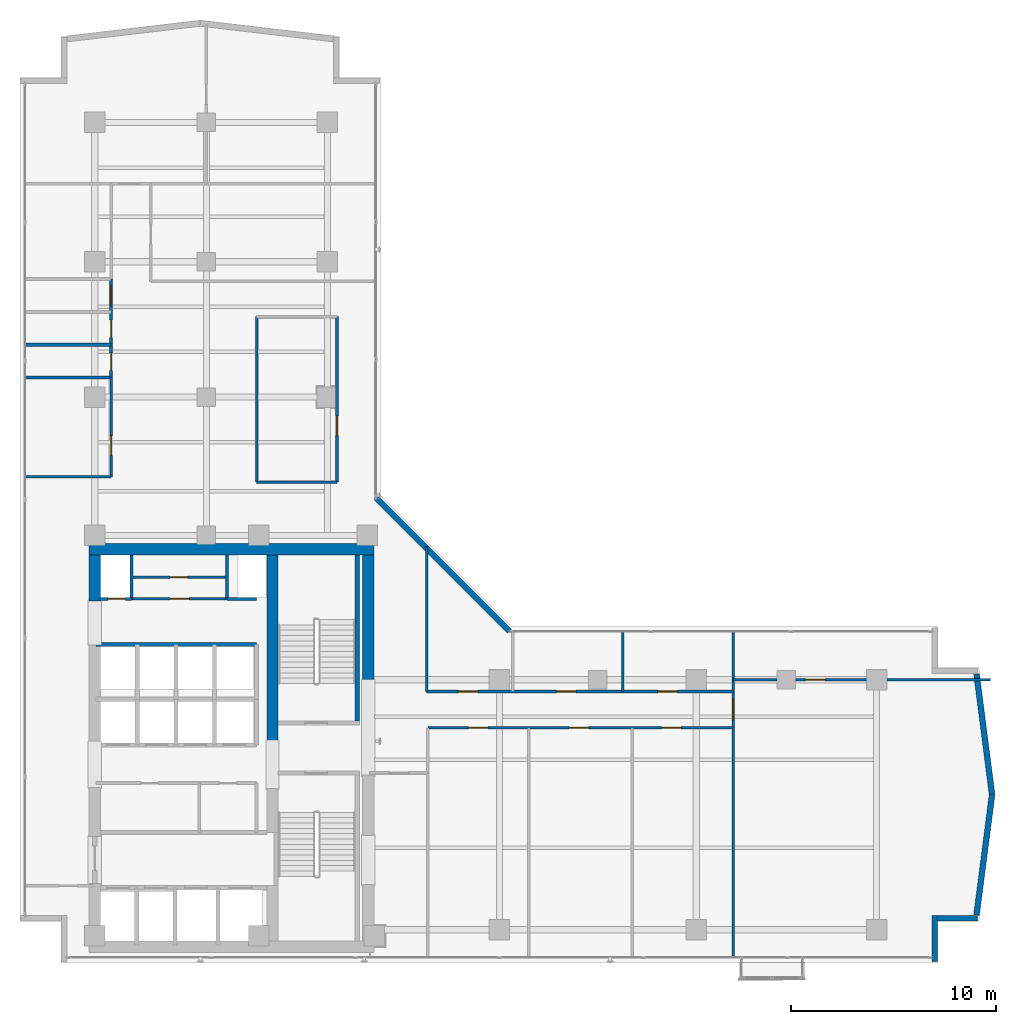
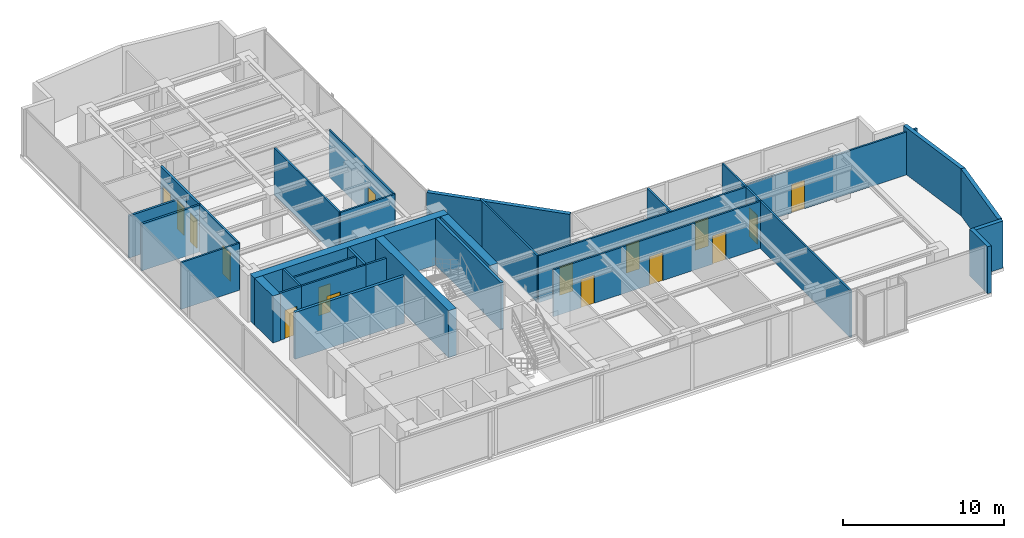
# One storey, part 17 of 23: 31 walls, 16 doors, 16 openings.
"""IFC4 building model written with IfcOpenShell, lengths in metres."""

from ifc_helpers import new_model, si_unit, direction, frame, frame_2d, origin, place, context, subcontext, project, spatial, rectangle, extrude, material, layer, layer_set, type_object, element, fill, save


model = new_model("IFC4")

# Units and contexts
model_context = context("Model", 3, precision=1e-05, world=origin(), true_north=direction((0.0, 1.0)))
body_context = subcontext(model_context, "Body", "Model", "MODEL_VIEW")
ifc_project = project(units=[si_unit("LENGTHUNIT", "METRE"), si_unit("AREAUNIT", "SQUARE_METRE"), si_unit("VOLUMEUNIT", "CUBIC_METRE"), si_unit("PLANEANGLEUNIT", "RADIAN"), si_unit("MASSUNIT", "GRAM", prefix="KILO")], contexts=[model_context])

# Site, building, storey
site_placement = place(None, origin())
site = spatial("IfcSite", under=ifc_project, at=site_placement, CompositionType="ELEMENT")
building_placement = place(site_placement, origin())
building = spatial("IfcBuilding", under=site, at=building_placement, Name="Kolvaren Waterfront Exchange", CompositionType="ELEMENT")
storey_placement = place(building_placement, frame((0.0, 0.0, 212.10009765625)))
storey = spatial("IfcBuildingStorey", under=building, at=storey_placement, Name="L54", CompositionType="ELEMENT", Elevation=212.10009765625)

# Walls
ifc_material_1 = material(Name="Precast concrete C40/50", Category="concrete")
ifc_layer_1 = layer(ifc_material_1, 0.280029296875, Name="Precast concrete C40/50")
ifc_layer_set_1 = layer_set([ifc_layer_1], Name="Precast concrete C40/50")
wall_type_1 = type_object("IfcWallType", Name="ARC-EXT-TERR-280", PredefinedType="SOLIDWALL", material=ifc_layer_set_1)
wall_1_placement = place(storey_placement, frame((48.43994140625, 3.659912109375, 0.0), z_axis=(0.0, 0.0, 1.0), x_axis=(0.0, 1.0, 0.0)))
element("IfcWall", 1, at=wall_1_placement, inside=storey, type_object=wall_type_1, Name="L54 notched corner spandrel pier SE-A", PredefinedType="SOLIDWALL", context=body_context, shape_type="SweptSolid", body=[
    extrude(rectangle(XDim=2.239990234375, YDim=0.280029296875, at=frame_2d((1.1201171875, 0.0))), origin(), (0.0, 0.0, 1.0), 3.559814453125),
])
wall_2_placement = place(storey_placement, frame((48.580078125, 5.760009765625, 0.0), z_axis=(0.0, 0.0, 1.0), x_axis=(1.0, 0.0, 0.0)))
element("IfcWall", 2, at=wall_2_placement, inside=storey, type_object=wall_type_1, Name="L54 notched corner spandrel pier SE-B", PredefinedType="SOLIDWALL", context=body_context, shape_type="SweptSolid", body=[
    extrude(rectangle(XDim=1.9599609375, YDim=0.280029296875, at=frame_2d((0.97998046875, 0.0))), origin(), (0.0, 0.0, 1.0), 3.559814453125),
])
wall_3_placement = place(storey_placement, frame((27.68505859375, 19.77490234375, 0.0), z_axis=(0.0, 0.0, 1.0), x_axis=(-0.707106781187, 0.707106781187, 0.0)))
element("IfcWall", 3, at=wall_3_placement, inside=storey, type_object=wall_type_1, Name="L54 notched corner spandrel pier ELBOW", PredefinedType="SOLIDWALL", context=body_context, shape_type="SweptSolid", body=[
    extrude(rectangle(XDim=9.20654296875, YDim=0.280029296875, at=frame_2d((4.603271484375, 0.0))), origin(), (0.0, 0.0, 1.0), 3.559814453125),
])
for number, where, z_axis, x_axis, name in (
    (4, (50.479736328125, 5.91796875, 0.0), (0.0, 0.0, 1.0), (0.127970031595, 0.991778035154, 0.0), "L54 east prow faceted facade wall 1"),
    (5, (51.23876953125, 11.79931640625, 0.0), (0.0, 0.0, 1.0), (-0.127970031595, 0.991778035154, 0.0), "L54 east prow faceted facade wall 2"),
):
    element("IfcWall", number, at=place(storey_placement, frame(where, z_axis=z_axis, x_axis=x_axis)), inside=storey, type_object=wall_type_1, Name=name, PredefinedType="SOLIDWALL", context=body_context, shape_type="SweptSolid", body=[
        extrude(rectangle(XDim=5.931396484375, YDim=0.280029296875, at=frame_2d((2.9658203125, 0.0))), origin(), (0.0, 0.0, 1.0), 3.559814453125),
    ])

# Wall, opening, door
ifc_material_2 = material(Name="Acoustic gypsum steel stud", Category="steel")
ifc_layer_2 = layer(ifc_material_2, 0.125, Name="Acoustic gypsum steel stud")
ifc_layer_set_2 = layer_set([ifc_layer_2], Name="Acoustic gypsum steel stud")
wall_type_2 = type_object("IfcWallType", Name="ARC-PART-125", PredefinedType="PARTITIONING", material=ifc_layer_set_2)
wall_4_placement = place(storey_placement, frame((9.25, 21.35009765625, 0.0), z_axis=(0.0, 0.0, 1.0), x_axis=(1.0, 0.0, 0.0)))
wall_4 = element("IfcWall", 6, at=wall_4_placement, inside=storey, type_object=wall_type_2, Name="L54 interior wall PW-L54-SVC-EX-S", PredefinedType="PARTITIONING", context=body_context, shape_type="SweptSolid", body=[
    extrude(rectangle(XDim=4.64990234375, YDim=0.125, at=frame_2d((2.324951171875, 0.0))), origin(), (0.0, 0.0, 1.0), 3.559814453125),
])
opening_1_placement = place(wall_4_placement, frame((1.85009765625, 0.0, 0.0)))
opening_1 = element("IfcOpeningElement", 7, at=opening_1_placement, cuts=wall_4, Name="Opening D02", PredefinedType="OPENING", context=body_context, shape_type="SweptSolid", body=[
    extrude(rectangle(XDim=0.949951171875, YDim=2.14990234375, at=frame_2d((0.47509765625, 1.074951171875))), frame((0.0, 0.072509765625, 0.0), z_axis=(0.0, -1.0, 0.0), x_axis=(1.0, 0.0, 0.0)), (0.0, 0.0, 1.0), 0.14501953125),
])
ifc_material_3 = material(Name="Oak veneer acoustic timber", Category="wood")
door_type_1 = type_object("IfcDoorType", Name="ARC-DR-950", OperationType="NOTDEFINED", PredefinedType="DOOR", material=ifc_material_3)
door_1_placement = place(opening_1_placement, origin())
door_1 = element("IfcDoor", 8, at=door_1_placement, inside=storey, type_object=door_type_1, Name="L54 door DR-L54-SVC-DR-1 (D02)", OperationType="SINGLE_SWING_RIGHT", OverallHeight=2.14990234375, OverallWidth=0.949951171875, PredefinedType="DOOR", context=body_context, shape_type="SweptSolid", body=[
    extrude(rectangle(XDim=0.949951171875, YDim=2.14990234375, at=frame_2d((0.47509765625, 1.074951171875))), frame((0.0, 0.02490234375, 0.0), z_axis=(0.0, -1.0, 0.0), x_axis=(1.0, 0.0, 0.0)), (0.0, 0.0, 1.0), 0.050048828125),
])
fill(opening_1, door_1)

wall_5_placement = place(storey_placement, frame((9.25, 22.39990234375, 0.0), z_axis=(0.0, 0.0, 1.0), x_axis=(1.0, 0.0, 0.0)))
wall_5 = element("IfcWall", 9, at=wall_5_placement, inside=storey, type_object=wall_type_2, Name="L54 interior wall PW-L54-SVC-EX-HS", PredefinedType="PARTITIONING", context=body_context, shape_type="SweptSolid", body=[
    extrude(rectangle(XDim=4.64990234375, YDim=0.125, at=frame_2d((2.324951171875, 0.0))), origin(), (0.0, 0.0, 1.0), 3.559814453125),
])
opening_2_placement = place(wall_5_placement, frame((1.875, 0.0, 0.0)))
opening_2 = element("IfcOpeningElement", 10, at=opening_2_placement, cuts=wall_5, Name="Opening D01", PredefinedType="OPENING", context=body_context, shape_type="SweptSolid", body=[
    extrude(rectangle(XDim=0.85009765625, YDim=2.14990234375, at=frame_2d((0.425048828125, 1.074951171875))), frame((0.0, 0.072509765625, 0.0), z_axis=(0.0, -1.0, 0.0), x_axis=(1.0, 0.0, 0.0)), (0.0, 0.0, 1.0), 0.14501953125),
])
ifc_material_4 = material(Name="Oak veneer timber leaf", Category="wood")
door_type_2 = type_object("IfcDoorType", Name="ARC-DR-900", OperationType="NOTDEFINED", PredefinedType="DOOR", material=ifc_material_4)
door_2_placement = place(opening_2_placement, origin())
door_2 = element("IfcDoor", 11, at=door_2_placement, inside=storey, type_object=door_type_2, Name="L54 door DR-L54-SVC-DR-2 (D01)", OperationType="SINGLE_SWING_LEFT", OverallHeight=2.14990234375, OverallWidth=0.85009765625, PredefinedType="DOOR", context=body_context, shape_type="SweptSolid", body=[
    extrude(rectangle(XDim=0.85009765625, YDim=2.14990234375, at=frame_2d((0.425048828125, 1.074951171875))), frame((0.0, 0.02490234375, 0.0), z_axis=(0.0, -1.0, 0.0), x_axis=(1.0, 0.0, 0.0)), (0.0, 0.0, 1.0), 0.050048828125),
])
fill(opening_2, door_2)

# Walls
wall_6_placement = place(storey_placement, frame((15.35009765625, 27.050048828125, 0.0), z_axis=(0.0, 0.0, 1.0), x_axis=(1.0, 0.0, 0.0)))
element("IfcWall", 12, at=wall_6_placement, inside=storey, type_object=wall_type_2, Name="L54 interior wall PW-L54-ISL-S", PredefinedType="PARTITIONING", context=body_context, shape_type="SweptSolid", body=[
    extrude(rectangle(XDim=3.919921875, YDim=0.125, at=frame_2d((1.9599609375, 0.0))), origin(), (0.0, 0.0, 1.0), 3.559814453125),
])
wall_7_placement = place(storey_placement, frame((15.35009765625, 27.050048828125, 0.0), z_axis=(0.0, 0.0, 1.0), x_axis=(0.0, 1.0, 0.0)))
element("IfcWall", 13, at=wall_7_placement, inside=storey, type_object=wall_type_2, Name="L54 interior wall PW-L54-ISL-W", PredefinedType="PARTITIONING", context=body_context, shape_type="SweptSolid", body=[
    extrude(rectangle(XDim=8.070068359375, YDim=0.125, at=frame_2d((4.03515625, 0.0))), origin(), (0.0, 0.0, 1.0), 3.559814453125),
])

# Wall, opening, door
wall_8_placement = place(storey_placement, frame((19.27001953125, 27.050048828125, 0.0), z_axis=(0.0, 0.0, 1.0), x_axis=(0.0, 1.0, 0.0)))
wall_8 = element("IfcWall", 14, at=wall_8_placement, inside=storey, type_object=wall_type_2, Name="L54 interior wall PW-L54-ISL-E", PredefinedType="PARTITIONING", context=body_context, shape_type="SweptSolid", body=[
    extrude(rectangle(XDim=8.070068359375, YDim=0.125, at=frame_2d((4.03515625, 0.0))), origin(), (0.0, 0.0, 1.0), 3.559814453125),
])
opening_3_placement = place(wall_8_placement, frame((2.27001953125, 0.0, 0.0)))
opening_3 = element("IfcOpeningElement", 15, at=opening_3_placement, cuts=wall_8, Name="Opening D02", PredefinedType="OPENING", context=body_context, shape_type="SweptSolid", body=[
    extrude(rectangle(XDim=0.949951171875, YDim=2.14990234375, at=frame_2d((0.47509765625, 1.074951171875))), frame((0.0, 0.072509765625, 0.0), z_axis=(0.0, -1.0, 0.0), x_axis=(1.0, 0.0, 0.0)), (0.0, 0.0, 1.0), 0.14501953125),
])
door_3_placement = place(opening_3_placement, origin())
door_3 = element("IfcDoor", 16, at=door_3_placement, inside=storey, type_object=door_type_1, Name="L54 door DR-L54-ISL-D (D02)", OperationType="SINGLE_SWING_RIGHT", OverallHeight=2.14990234375, OverallWidth=0.949951171875, PredefinedType="DOOR", context=body_context, shape_type="SweptSolid", body=[
    extrude(rectangle(XDim=0.949951171875, YDim=2.14990234375, at=frame_2d((0.47509765625, 1.074951171875))), frame((0.0, 0.02490234375, 0.0), z_axis=(0.0, -1.0, 0.0), x_axis=(1.0, 0.0, 0.0)), (0.0, 0.0, 1.0), 0.050048828125),
])
fill(opening_3, door_3)

wall_9_placement = place(storey_placement, frame((8.25, 27.300048828125, 0.0), z_axis=(0.0, 0.0, 1.0), x_axis=(0.0, 1.0, 0.0)))
wall_9 = element("IfcWall", 17, at=wall_9_placement, inside=storey, type_object=wall_type_2, Name="L54 interior wall PW-L54-PREWC-E", PredefinedType="PARTITIONING", context=body_context, shape_type="SweptSolid", body=[
    extrude(rectangle(XDim=4.849853515625, YDim=0.125, at=frame_2d((2.4248046875, 0.0))), origin(), (0.0, 0.0, 1.0), 3.559814453125),
])
opening_4_placement = place(wall_9_placement, frame((1.050048828125, 0.0, 0.0)))
opening_4 = element("IfcOpeningElement", 18, at=opening_4_placement, cuts=wall_9, Name="Opening D02", PredefinedType="OPENING", context=body_context, shape_type="SweptSolid", body=[
    extrude(rectangle(XDim=0.949951171875, YDim=2.14990234375, at=frame_2d((0.47509765625, 1.074951171875))), frame((0.0, 0.072509765625, 0.0), z_axis=(0.0, -1.0, 0.0), x_axis=(1.0, 0.0, 0.0)), (0.0, 0.0, 1.0), 0.14501953125),
])
door_4_placement = place(opening_4_placement, origin())
door_4 = element("IfcDoor", 19, at=door_4_placement, inside=storey, type_object=door_type_1, Name="L54 door DR-L54-PREWC-D (D02)", OperationType="SINGLE_SWING_LEFT", OverallHeight=2.14990234375, OverallWidth=0.949951171875, PredefinedType="DOOR", context=body_context, shape_type="SweptSolid", body=[
    extrude(rectangle(XDim=0.949951171875, YDim=2.14990234375, at=frame_2d((0.47509765625, 1.074951171875))), frame((0.0, 0.02490234375, 0.0), z_axis=(0.0, -1.0, 0.0), x_axis=(1.0, 0.0, 0.0)), (0.0, 0.0, 1.0), 0.050048828125),
])
fill(opening_4, door_4)

# Wall
wall_10_placement = place(storey_placement, frame((4.0400390625, 27.300048828125, 0.0), z_axis=(0.0, 0.0, 1.0), x_axis=(1.0, 0.0, 0.0)))
element("IfcWall", 20, at=wall_10_placement, inside=storey, type_object=wall_type_2, Name="L54 interior wall PW-L54-PREWC-S", PredefinedType="PARTITIONING", context=body_context, shape_type="SweptSolid", body=[
    extrude(rectangle(XDim=4.2099609375, YDim=0.125, at=frame_2d((2.10498046875, 0.0))), origin(), (0.0, 0.0, 1.0), 3.559814453125),
])

# Wall, openings, doors
wall_11_placement = place(storey_placement, frame((23.699951171875, 15.050048828125, 0.0), z_axis=(0.0, 0.0, 1.0), x_axis=(1.0, 0.0, 0.0)))
wall_11 = element("IfcWall", 21, at=wall_11_placement, inside=storey, type_object=wall_type_2, Name="L54 interior wall PW-L54-ES-CORR", PredefinedType="PARTITIONING", context=body_context, shape_type="SweptSolid", body=[
    extrude(rectangle(XDim=14.900146484375, YDim=0.125, at=frame_2d((7.4501953125, 0.0))), origin(), (0.0, 0.0, 1.0), 3.559814453125),
])
opening_5_placement = place(wall_11_placement, frame((1.985107421875, 0.0, 0.0)))
opening_5 = element("IfcOpeningElement", 22, at=opening_5_placement, cuts=wall_11, Name="Opening D02", PredefinedType="OPENING", context=body_context, shape_type="SweptSolid", body=[
    extrude(rectangle(XDim=0.949951171875, YDim=2.14990234375, at=frame_2d((0.47509765625, 1.074951171875))), frame((0.0, 0.072509765625, 0.0), z_axis=(0.0, -1.0, 0.0), x_axis=(1.0, 0.0, 0.0)), (0.0, 0.0, 1.0), 0.14501953125),
])
opening_6_placement = place(wall_11_placement, frame((6.903076171875, 0.0, 0.0)))
opening_6 = element("IfcOpeningElement", 23, at=opening_6_placement, cuts=wall_11, Name="Opening D02", PredefinedType="OPENING", context=body_context, shape_type="SweptSolid", body=[
    extrude(rectangle(XDim=0.949951171875, YDim=2.14990234375, at=frame_2d((0.47509765625, 1.074951171875))), frame((0.0, 0.072509765625, 0.0), z_axis=(0.0, -1.0, 0.0), x_axis=(1.0, 0.0, 0.0)), (0.0, 0.0, 1.0), 0.14501953125),
])
opening_7_placement = place(wall_11_placement, frame((11.416015625, 0.0, 0.0)))
opening_7 = element("IfcOpeningElement", 24, at=opening_7_placement, cuts=wall_11, Name="Opening D02", PredefinedType="OPENING", context=body_context, shape_type="SweptSolid", body=[
    extrude(rectangle(XDim=0.949951171875, YDim=2.14990234375, at=frame_2d((0.47509765625, 1.074951171875))), frame((0.0, 0.072509765625, 0.0), z_axis=(0.0, -1.0, 0.0), x_axis=(1.0, 0.0, 0.0)), (0.0, 0.0, 1.0), 0.14501953125),
])
door_5_placement = place(opening_5_placement, origin())
door_5 = element("IfcDoor", 25, at=door_5_placement, inside=storey, type_object=door_type_1, Name="L54 door DR-L54-ES-D-1 (D02)", OperationType="SINGLE_SWING_LEFT", OverallHeight=2.14990234375, OverallWidth=0.949951171875, PredefinedType="DOOR", context=body_context, shape_type="SweptSolid", body=[
    extrude(rectangle(XDim=0.949951171875, YDim=2.14990234375, at=frame_2d((0.47509765625, 1.074951171875))), frame((0.0, 0.02490234375, 0.0), z_axis=(0.0, -1.0, 0.0), x_axis=(1.0, 0.0, 0.0)), (0.0, 0.0, 1.0), 0.050048828125),
])
fill(opening_5, door_5)
door_6_placement = place(opening_6_placement, origin())
door_6 = element("IfcDoor", 26, at=door_6_placement, inside=storey, type_object=door_type_1, Name="L54 door DR-L54-ES-D-2 (D02)", OperationType="SINGLE_SWING_RIGHT", OverallHeight=2.14990234375, OverallWidth=0.949951171875, PredefinedType="DOOR", context=body_context, shape_type="SweptSolid", body=[
    extrude(rectangle(XDim=0.949951171875, YDim=2.14990234375, at=frame_2d((0.47509765625, 1.074951171875))), frame((0.0, 0.02490234375, 0.0), z_axis=(0.0, -1.0, 0.0), x_axis=(1.0, 0.0, 0.0)), (0.0, 0.0, 1.0), 0.050048828125),
])
fill(opening_6, door_6)
door_7_placement = place(opening_7_placement, origin())
door_7 = element("IfcDoor", 27, at=door_7_placement, inside=storey, type_object=door_type_1, Name="L54 door DR-L54-ES-D-3 (D02)", OperationType="SINGLE_SWING_LEFT", OverallHeight=2.14990234375, OverallWidth=0.949951171875, PredefinedType="DOOR", context=body_context, shape_type="SweptSolid", body=[
    extrude(rectangle(XDim=0.949951171875, YDim=2.14990234375, at=frame_2d((0.47509765625, 1.074951171875))), frame((0.0, 0.02490234375, 0.0), z_axis=(0.0, -1.0, 0.0), x_axis=(1.0, 0.0, 0.0)), (0.0, 0.0, 1.0), 0.050048828125),
])
fill(opening_7, door_7)

# Wall, opening, door
wall_12_placement = place(storey_placement, frame((38.60009765625, 3.840087890625, 0.0), z_axis=(0.0, 0.0, 1.0), x_axis=(0.0, 1.0, 0.0)))
wall_12 = element("IfcWall", 28, at=wall_12_placement, inside=storey, type_object=wall_type_2, Name="L54 interior wall PW-L54-ETIP-W", PredefinedType="PARTITIONING", context=body_context, shape_type="SweptSolid", body=[
    extrude(rectangle(XDim=15.919921875, YDim=0.125, at=frame_2d((7.9599609375, 0.0))), origin(), (0.0, 0.0, 1.0), 3.559814453125),
])
opening_8_placement = place(wall_12_placement, frame((11.60009765625, 0.0, 0.0)))
opening_8 = element("IfcOpeningElement", 29, at=opening_8_placement, cuts=wall_12, Name="Opening D03", PredefinedType="OPENING", context=body_context, shape_type="SweptSolid", body=[
    extrude(rectangle(XDim=1.0, YDim=2.199951171875, at=frame_2d((0.5, 1.10009765625))), frame((0.0, 0.072509765625, 0.0), z_axis=(0.0, -1.0, 0.0), x_axis=(1.0, 0.0, 0.0)), (0.0, 0.0, 1.0), 0.14501953125),
])
ifc_material_5 = material(Name="Oak veneer accessible timber", Category="wood")
door_type_3 = type_object("IfcDoorType", Name="ARC-DR-1000", OperationType="NOTDEFINED", PredefinedType="DOOR", material=ifc_material_5)
door_8_placement = place(opening_8_placement, origin())
door_8 = element("IfcDoor", 30, at=door_8_placement, inside=storey, type_object=door_type_3, Name="L54 door DR-L54-ETIP1-D (D03)", OperationType="SINGLE_SWING_RIGHT", OverallHeight=2.199951171875, OverallWidth=1.0, PredefinedType="DOOR", context=body_context, shape_type="SweptSolid", body=[
    extrude(rectangle(XDim=1.0, YDim=2.199951171875, at=frame_2d((0.5, 1.10009765625))), frame((0.0, 0.02490234375, 0.0), z_axis=(0.0, -1.0, 0.0), x_axis=(1.0, 0.0, 0.0)), (0.0, 0.0, 1.0), 0.050048828125),
])
fill(opening_8, door_8)

wall_13_placement = place(storey_placement, frame((38.60009765625, 17.39990234375, 0.0), z_axis=(0.0, 0.0, 1.0), x_axis=(1.0, 0.0, 0.0)))
wall_13 = element("IfcWall", 31, at=wall_13_placement, inside=storey, type_object=wall_type_2, Name="L54 interior wall PW-L54-ETIP-MID", PredefinedType="PARTITIONING", context=body_context, shape_type="SweptSolid", body=[
    extrude(rectangle(XDim=12.559814453125, YDim=0.125, at=frame_2d((6.27978515625, 0.0))), origin(), (0.0, 0.0, 1.0), 3.260009765625),
])
opening_9_placement = place(wall_13_placement, frame((3.52490234375, 0.0, 0.0)))
opening_9 = element("IfcOpeningElement", 32, at=opening_9_placement, cuts=wall_13, Name="Opening D02", PredefinedType="OPENING", context=body_context, shape_type="SweptSolid", body=[
    extrude(rectangle(XDim=0.949951171875, YDim=2.14990234375, at=frame_2d((0.47509765625, 1.074951171875))), frame((0.0, 0.072509765625, 0.0), z_axis=(0.0, -1.0, 0.0), x_axis=(1.0, 0.0, 0.0)), (0.0, 0.0, 1.0), 0.14501953125),
])
door_9_placement = place(opening_9_placement, origin())
door_9 = element("IfcDoor", 33, at=door_9_placement, inside=storey, type_object=door_type_1, Name="L54 door DR-L54-ETIP2-D (D02)", OperationType="SINGLE_SWING_LEFT", OverallHeight=2.14990234375, OverallWidth=0.949951171875, PredefinedType="DOOR", context=body_context, shape_type="SweptSolid", body=[
    extrude(rectangle(XDim=0.949951171875, YDim=2.14990234375, at=frame_2d((0.47509765625, 1.074951171875))), frame((0.0, 0.02490234375, 0.0), z_axis=(0.0, -1.0, 0.0), x_axis=(1.0, 0.0, 0.0)), (0.0, 0.0, 1.0), 0.050048828125),
])
fill(opening_9, door_9)

# Wall
wall_14_placement = place(storey_placement, frame((23.64990234375, 16.830078125, 0.0), z_axis=(0.0, 0.0, 1.0), x_axis=(0.0, 1.0, 0.0)))
element("IfcWall", 34, at=wall_14_placement, inside=storey, type_object=wall_type_2, Name="L54 interior wall PW-L54-EN-W0", PredefinedType="PARTITIONING", context=body_context, shape_type="SweptSolid", body=[
    extrude(rectangle(XDim=7.079833984375, YDim=0.125, at=frame_2d((3.5400390625, 0.0))), origin(), (0.0, 0.0, 1.0), 3.559814453125),
])

# Wall, openings, doors
wall_15_placement = place(storey_placement, frame((23.64990234375, 16.830078125, 0.0), z_axis=(0.0, 0.0, 1.0), x_axis=(1.0, 0.0, 0.0)))
wall_15 = element("IfcWall", 35, at=wall_15_placement, inside=storey, type_object=wall_type_2, Name="L54 interior wall PW-L54-EN-CORR", PredefinedType="PARTITIONING", context=body_context, shape_type="SweptSolid", body=[
    extrude(rectangle(XDim=14.9501953125, YDim=0.125, at=frame_2d((7.47509765625, 0.0))), origin(), (0.0, 0.0, 1.0), 3.559814453125),
])
opening_10_placement = place(wall_15_placement, frame((1.548095703125, 0.0, 0.0)))
opening_10 = element("IfcOpeningElement", 36, at=opening_10_placement, cuts=wall_15, Name="Opening D02", PredefinedType="OPENING", context=body_context, shape_type="SweptSolid", body=[
    extrude(rectangle(XDim=0.949951171875, YDim=2.14990234375, at=frame_2d((0.47509765625, 1.074951171875))), frame((0.0, 0.072509765625, 0.0), z_axis=(0.0, -1.0, 0.0), x_axis=(1.0, 0.0, 0.0)), (0.0, 0.0, 1.0), 0.14501953125),
])
opening_11_placement = place(wall_15_placement, frame((6.33251953125, 0.0, 0.0)))
opening_11 = element("IfcOpeningElement", 37, at=opening_11_placement, cuts=wall_15, Name="Opening D02", PredefinedType="OPENING", context=body_context, shape_type="SweptSolid", body=[
    extrude(rectangle(XDim=0.949951171875, YDim=2.14990234375, at=frame_2d((0.47509765625, 1.074951171875))), frame((0.0, 0.072509765625, 0.0), z_axis=(0.0, -1.0, 0.0), x_axis=(1.0, 0.0, 0.0)), (0.0, 0.0, 1.0), 0.14501953125),
])
opening_12_placement = place(wall_15_placement, frame((11.27685546875, 0.0, 0.0)))
opening_12 = element("IfcOpeningElement", 38, at=opening_12_placement, cuts=wall_15, Name="Opening D02", PredefinedType="OPENING", context=body_context, shape_type="SweptSolid", body=[
    extrude(rectangle(XDim=0.949951171875, YDim=2.14990234375, at=frame_2d((0.47509765625, 1.074951171875))), frame((0.0, 0.072509765625, 0.0), z_axis=(0.0, -1.0, 0.0), x_axis=(1.0, 0.0, 0.0)), (0.0, 0.0, 1.0), 0.14501953125),
])
door_10_placement = place(opening_10_placement, origin())
door_10 = element("IfcDoor", 39, at=door_10_placement, inside=storey, type_object=door_type_1, Name="L54 door DR-L54-EN-D-1 (D02)", OperationType="SINGLE_SWING_RIGHT", OverallHeight=2.14990234375, OverallWidth=0.949951171875, PredefinedType="DOOR", context=body_context, shape_type="SweptSolid", body=[
    extrude(rectangle(XDim=0.949951171875, YDim=2.14990234375, at=frame_2d((0.47509765625, 1.074951171875))), frame((0.0, 0.02490234375, 0.0), z_axis=(0.0, -1.0, 0.0), x_axis=(1.0, 0.0, 0.0)), (0.0, 0.0, 1.0), 0.050048828125),
])
fill(opening_10, door_10)
door_11_placement = place(opening_11_placement, origin())
door_11 = element("IfcDoor", 40, at=door_11_placement, inside=storey, type_object=door_type_1, Name="L54 door DR-L54-EN-D-2 (D02)", OperationType="SINGLE_SWING_LEFT", OverallHeight=2.14990234375, OverallWidth=0.949951171875, PredefinedType="DOOR", context=body_context, shape_type="SweptSolid", body=[
    extrude(rectangle(XDim=0.949951171875, YDim=2.14990234375, at=frame_2d((0.47509765625, 1.074951171875))), frame((0.0, 0.02490234375, 0.0), z_axis=(0.0, -1.0, 0.0), x_axis=(1.0, 0.0, 0.0)), (0.0, 0.0, 1.0), 0.050048828125),
])
fill(opening_11, door_11)
door_12_placement = place(opening_12_placement, origin())
door_12 = element("IfcDoor", 41, at=door_12_placement, inside=storey, type_object=door_type_1, Name="L54 door DR-L54-EN-D-3 (D02)", OperationType="SINGLE_SWING_RIGHT", OverallHeight=2.14990234375, OverallWidth=0.949951171875, PredefinedType="DOOR", context=body_context, shape_type="SweptSolid", body=[
    extrude(rectangle(XDim=0.949951171875, YDim=2.14990234375, at=frame_2d((0.47509765625, 1.074951171875))), frame((0.0, 0.02490234375, 0.0), z_axis=(0.0, -1.0, 0.0), x_axis=(1.0, 0.0, 0.0)), (0.0, 0.0, 1.0), 0.050048828125),
])
fill(opening_12, door_12)

# Walls
wall_16_placement = place(storey_placement, frame((33.219970703125, 16.830078125, 0.0), z_axis=(0.0, 0.0, 1.0), x_axis=(0.0, 1.0, 0.0)))
element("IfcWall", 42, at=wall_16_placement, inside=storey, type_object=wall_type_2, Name="L54 interior wall PW-L54-EN-DIV-2", PredefinedType="PARTITIONING", context=body_context, shape_type="SweptSolid", body=[
    extrude(rectangle(XDim=2.929931640625, YDim=0.125, at=frame_2d((1.46484375, 0.0))), origin(), (0.0, 0.0, 1.0), 3.559814453125),
])
ifc_material_6 = material(Name="Gypsum fireboard steel stud", Category="steel")
ifc_layer_3 = layer(ifc_material_6, 0.14990234375, Name="Gypsum fireboard steel stud")
ifc_layer_set_3 = layer_set([ifc_layer_3], Name="Gypsum fireboard steel stud")
wall_type_3 = type_object("IfcWallType", Name="ARC-PART-150", PredefinedType="PARTITIONING", material=ifc_layer_set_3)
for number, where, z_axis, x_axis, name in (
    (43, (9.25, 21.35009765625, 0.0), (0.0, 0.0, 1.0), (0.0, 1.0, 0.0), "L54 interior wall PW-L54-SVC-R1"),
    (44, (13.89990234375, 21.35009765625, 0.0), (0.0, 0.0, 1.0), (0.0, 1.0, 0.0), "L54 interior wall PW-L54-SVC-R2"),
):
    element("IfcWall", number, at=place(storey_placement, frame(where, z_axis=z_axis, x_axis=x_axis)), inside=storey, type_object=wall_type_3, Name=name, PredefinedType="PARTITIONING", context=body_context, shape_type="SweptSolid", body=[
        extrude(rectangle(XDim=2.1298828125, YDim=0.14990234375, at=frame_2d((1.06494140625, 0.0))), origin(), (0.0, 0.0, 1.0), 3.559814453125),
    ])

# Wall, opening, door
wall_17_placement = place(storey_placement, frame((7.699951171875, 21.35009765625, 0.0), z_axis=(0.0, 0.0, 1.0), x_axis=(1.0, 0.0, 0.0)))
wall_17 = element("IfcWall", 45, at=wall_17_placement, inside=storey, type_object=wall_type_3, Name="L54 interior wall PW-L54-SVC-RE-S", PredefinedType="PARTITIONING", context=body_context, shape_type="SweptSolid", body=[
    extrude(rectangle(XDim=1.550048828125, YDim=0.14990234375, at=frame_2d((0.77490234375, 0.0))), origin(), (0.0, 0.0, 1.0), 3.559814453125),
])
opening_13_placement = place(wall_17_placement, frame((0.389892578125, 0.0, 0.0)))
opening_13 = element("IfcOpeningElement", 46, at=opening_13_placement, cuts=wall_17, Name="Opening FD1", PredefinedType="OPENING", context=body_context, shape_type="SweptSolid", body=[
    extrude(rectangle(XDim=0.85009765625, YDim=2.14990234375, at=frame_2d((0.425048828125, 1.074951171875))), frame((0.0, 0.0849609375, 0.0), z_axis=(0.0, -1.0, 0.0), x_axis=(1.0, 0.0, 0.0)), (0.0, 0.0, 1.0), 0.169921875),
])
ifc_material_7 = material(Name="Pressed steel fire leaf", Category="steel")
door_type_4 = type_object("IfcDoorType", Name="ARC-FD-900", OperationType="NOTDEFINED", PredefinedType="DOOR", material=ifc_material_7)
door_13_placement = place(opening_13_placement, origin())
door_13 = element("IfcDoor", 47, at=door_13_placement, inside=storey, type_object=door_type_4, Name="L54 door DR-L54-RISER-E-DR (FD1)", OperationType="SINGLE_SWING_LEFT", OverallHeight=2.14990234375, OverallWidth=0.85009765625, PredefinedType="DOOR", context=body_context, shape_type="SweptSolid", body=[
    extrude(rectangle(XDim=0.85009765625, YDim=2.14990234375, at=frame_2d((0.425048828125, 1.074951171875))), frame((0.0, 0.02490234375, 0.0), z_axis=(0.0, -1.0, 0.0), x_axis=(1.0, 0.0, 0.0)), (0.0, 0.0, 1.0), 0.050048828125),
])
fill(opening_13, door_13)

# Walls
wall_18_placement = place(storey_placement, frame((13.89990234375, 21.35009765625, 0.0), z_axis=(0.0, 0.0, 1.0), x_axis=(1.0, 0.0, 0.0)))
element("IfcWall", 48, at=wall_18_placement, inside=storey, type_object=wall_type_3, Name="L54 interior wall PW-L54-SVC-RP-S", PredefinedType="PARTITIONING", context=body_context, shape_type="SweptSolid", body=[
    extrude(rectangle(XDim=1.4501953125, YDim=0.14990234375, at=frame_2d((0.72509765625, 0.0))), origin(), (0.0, 0.0, 1.0), 3.559814453125),
])
ifc_material_8 = material(Name="Moisture-resistant gypsum stud")
ifc_layer_4 = layer(ifc_material_8, 0.14990234375, Name="Moisture-resistant gypsum stud")
ifc_layer_set_4 = layer_set([ifc_layer_4], Name="Moisture-resistant gypsum stud")
wall_type_4 = type_object("IfcWallType", Name="ARC-PLUMB-150", PredefinedType="PLUMBINGWALL", material=ifc_layer_set_4)
wall_19_placement = place(storey_placement, frame((4.0400390625, 32.14990234375, 0.0), z_axis=(0.0, 0.0, 1.0), x_axis=(1.0, 0.0, 0.0)))
element("IfcWall", 49, at=wall_19_placement, inside=storey, type_object=wall_type_4, Name="L54 interior wall PW-L54-WC-0", PredefinedType="PLUMBINGWALL", context=body_context, shape_type="SweptSolid", body=[
    extrude(rectangle(XDim=4.2099609375, YDim=0.14990234375, at=frame_2d((2.10498046875, 0.0))), origin(), (0.0, 0.0, 1.0), 3.559814453125),
])

# Wall, openings, doors
wall_20_placement = place(storey_placement, frame((8.25, 32.14990234375, 0.0), z_axis=(0.0, 0.0, 1.0), x_axis=(0.0, 1.0, 0.0)))
wall_20 = element("IfcWall", 50, at=wall_20_placement, inside=storey, type_object=wall_type_4, Name="L54 interior wall PW-L54-WC-E", PredefinedType="PLUMBINGWALL", context=body_context, shape_type="SweptSolid", body=[
    extrude(rectangle(XDim=4.800048828125, YDim=0.14990234375, at=frame_2d((2.39990234375, 0.0))), origin(), (0.0, 0.0, 1.0), 3.559814453125),
])
opening_14_placement = place(wall_20_placement, frame((0.35009765625, 0.0, 0.0)))
opening_14 = element("IfcOpeningElement", 51, at=opening_14_placement, cuts=wall_20, Name="Opening D01", PredefinedType="OPENING", context=body_context, shape_type="SweptSolid", body=[
    extrude(rectangle(XDim=0.85009765625, YDim=2.14990234375, at=frame_2d((0.425048828125, 1.074951171875))), frame((0.0, 0.0849609375, 0.0), z_axis=(0.0, -1.0, 0.0), x_axis=(1.0, 0.0, 0.0)), (0.0, 0.0, 1.0), 0.169921875),
])
opening_15_placement = place(wall_20_placement, frame((1.949951171875, 0.0, 0.0)))
opening_15 = element("IfcOpeningElement", 52, at=opening_15_placement, cuts=wall_20, Name="Opening D01", PredefinedType="OPENING", context=body_context, shape_type="SweptSolid", body=[
    extrude(rectangle(XDim=0.85009765625, YDim=2.14990234375, at=frame_2d((0.425048828125, 1.074951171875))), frame((0.0, 0.0849609375, 0.0), z_axis=(0.0, -1.0, 0.0), x_axis=(1.0, 0.0, 0.0)), (0.0, 0.0, 1.0), 0.169921875),
])
opening_16_placement = place(wall_20_placement, frame((3.5, 0.0, 0.0)))
opening_16 = element("IfcOpeningElement", 53, at=opening_16_placement, cuts=wall_20, Name="Opening D03", PredefinedType="OPENING", context=body_context, shape_type="SweptSolid", body=[
    extrude(rectangle(XDim=1.0, YDim=2.199951171875, at=frame_2d((0.5, 1.10009765625))), frame((0.0, 0.0849609375, 0.0), z_axis=(0.0, -1.0, 0.0), x_axis=(1.0, 0.0, 0.0)), (0.0, 0.0, 1.0), 0.169921875),
])
door_14_placement = place(opening_16_placement, origin())
door_14 = element("IfcDoor", 54, at=door_14_placement, inside=storey, type_object=door_type_3, Name="L54 door DR-L54-WCA-D (D03)", OperationType="SINGLE_SWING_RIGHT", OverallHeight=2.199951171875, OverallWidth=1.0, PredefinedType="DOOR", context=body_context, shape_type="SweptSolid", body=[
    extrude(rectangle(XDim=1.0, YDim=2.199951171875, at=frame_2d((0.5, 1.10009765625))), frame((0.0, 0.02490234375, 0.0), z_axis=(0.0, -1.0, 0.0), x_axis=(1.0, 0.0, 0.0)), (0.0, 0.0, 1.0), 0.050048828125),
])
fill(opening_16, door_14)
door_15_placement = place(opening_14_placement, origin())
door_15 = element("IfcDoor", 55, at=door_15_placement, inside=storey, type_object=door_type_2, Name="L54 door DR-L54-WCM-D (D01)", OperationType="SINGLE_SWING_RIGHT", OverallHeight=2.14990234375, OverallWidth=0.85009765625, PredefinedType="DOOR", context=body_context, shape_type="SweptSolid", body=[
    extrude(rectangle(XDim=0.85009765625, YDim=2.14990234375, at=frame_2d((0.425048828125, 1.074951171875))), frame((0.0, 0.02490234375, 0.0), z_axis=(0.0, -1.0, 0.0), x_axis=(1.0, 0.0, 0.0)), (0.0, 0.0, 1.0), 0.050048828125),
])
fill(opening_14, door_15)
door_16_placement = place(opening_15_placement, origin())
door_16 = element("IfcDoor", 56, at=door_16_placement, inside=storey, type_object=door_type_2, Name="L54 door DR-L54-WCF-D (D01)", OperationType="SINGLE_SWING_LEFT", OverallHeight=2.14990234375, OverallWidth=0.85009765625, PredefinedType="DOOR", context=body_context, shape_type="SweptSolid", body=[
    extrude(rectangle(XDim=0.85009765625, YDim=2.14990234375, at=frame_2d((0.425048828125, 1.074951171875))), frame((0.0, 0.02490234375, 0.0), z_axis=(0.0, -1.0, 0.0), x_axis=(1.0, 0.0, 0.0)), (0.0, 0.0, 1.0), 0.050048828125),
])
fill(opening_15, door_16)

# Walls
wall_21_placement = place(storey_placement, frame((4.0400390625, 33.75, 0.0), z_axis=(0.0, 0.0, 1.0), x_axis=(1.0, 0.0, 0.0)))
element("IfcWall", 57, at=wall_21_placement, inside=storey, type_object=wall_type_4, Name="L54 interior wall PW-L54-WC-1", PredefinedType="PLUMBINGWALL", context=body_context, shape_type="SweptSolid", body=[
    extrude(rectangle(XDim=4.2099609375, YDim=0.14990234375, at=frame_2d((2.10498046875, 0.0))), origin(), (0.0, 0.0, 1.0), 3.199951171875),
])
ifc_material_9 = material(Name="Concrete C40/50", Category="concrete")
ifc_layer_5 = layer(ifc_material_9, 0.199951171875, Name="Concrete C40/50")
ifc_layer_set_5 = layer_set([ifc_layer_5], Name="Concrete C40/50")
wall_type_5 = type_object("IfcWallType", Name="ARC-SHAFT-200", PredefinedType="PARTITIONING", material=ifc_layer_set_5)
wall_22_placement = place(storey_placement, frame((20.260009765625, 15.39990234375, 0.0), z_axis=(0.0, 0.0, 1.0), x_axis=(0.0, 1.0, 0.0)))
element("IfcWall", 58, at=wall_22_placement, inside=storey, type_object=wall_type_5, Name="L54 structural stairwell wall PW-L54-ST2-E", PredefinedType="SHEAR", context=body_context, shape_type="SweptSolid", body=[
    extrude(rectangle(XDim=8.090087890625, YDim=0.199951171875, at=frame_2d((4.044921875, 0.0))), origin(), (0.0, 0.0, 1.0), 3.559814453125),
])
wall_23_placement = place(storey_placement, frame((7.5, 19.1201171875, 0.0), z_axis=(0.0, 0.0, 1.0), x_axis=(1.0, 0.0, 0.0)))
element("IfcWall", 59, at=wall_23_placement, inside=storey, type_object=wall_type_5, Name="L54 interior wall PW-L54-PH-N", PredefinedType="PARTITIONING", context=body_context, shape_type="SweptSolid", body=[
    extrude(rectangle(XDim=7.85009765625, YDim=0.199951171875, at=frame_2d((3.925048828125, 0.0))), origin(), (0.0, 0.0, 1.0), 3.559814453125),
])
ifc_material_10 = material(Name="Concrete C50/60", Category="concrete")
ifc_layer_6 = layer(ifc_material_10, 0.550048828125, Name="Concrete C50/60")
ifc_layer_set_6 = layer_set([ifc_layer_6], Name="Concrete C50/60")
wall_type_6 = type_object("IfcWallType", Name="STR-CWALL-550", PredefinedType="SHEAR", material=ifc_layer_set_6)
wall_24_placement = place(storey_placement, frame((7.175048828125, 23.77490234375, 0.0), z_axis=(0.0, 0.0, 1.0), x_axis=(1.0, 0.0, 0.0)))
element("IfcWall", 60, at=wall_24_placement, inside=storey, type_object=wall_type_6, Name="L54 rear-core shear wall N", PredefinedType="SHEAR", context=body_context, shape_type="SweptSolid", body=[
    extrude(rectangle(XDim=13.89990234375, YDim=0.550048828125, at=frame_2d((6.949951171875, 0.0))), origin(), (0.0, 0.0, 1.0), 3.559814453125),
])
wall_25_placement = place(storey_placement, frame((7.449951171875, 21.239990234375, 0.0), z_axis=(0.0, 0.0, 1.0), x_axis=(0.0, 1.0, 0.0)))
element("IfcWall", 61, at=wall_25_placement, inside=storey, type_object=wall_type_6, Name="L54 rear-core shear wall W3", PredefinedType="SHEAR", context=body_context, shape_type="SweptSolid", body=[
    extrude(rectangle(XDim=2.260009765625, YDim=0.550048828125, at=frame_2d((1.1298828125, 0.0))), origin(), (0.0, 0.0, 1.0), 3.559814453125),
])
wall_26_placement = place(storey_placement, frame((20.800048828125, 17.35009765625, 0.0), z_axis=(0.0, 0.0, 1.0), x_axis=(0.0, 1.0, 0.0)))
element("IfcWall", 62, at=wall_26_placement, inside=storey, type_object=wall_type_6, Name="L54 rear-core shear wall E3", PredefinedType="SHEAR", context=body_context, shape_type="SweptSolid", body=[
    extrude(rectangle(XDim=6.14990234375, YDim=0.550048828125, at=frame_2d((3.074951171875, 0.0))), origin(), (0.0, 0.0, 1.0), 3.559814453125),
])
wall_27_placement = place(storey_placement, frame((16.125, 14.39990234375, 0.0), z_axis=(0.0, 0.0, 1.0), x_axis=(0.0, 1.0, 0.0)))
element("IfcWall", 63, at=wall_27_placement, inside=storey, type_object=wall_type_6, Name="L54 rear-core shear wall M3", PredefinedType="SHEAR", context=body_context, shape_type="SweptSolid", body=[
    extrude(rectangle(XDim=9.10009765625, YDim=0.550048828125, at=frame_2d((4.550048828125, 0.0))), origin(), (0.0, 0.0, 1.0), 3.559814453125),
])

save(model, "model.ifc")
